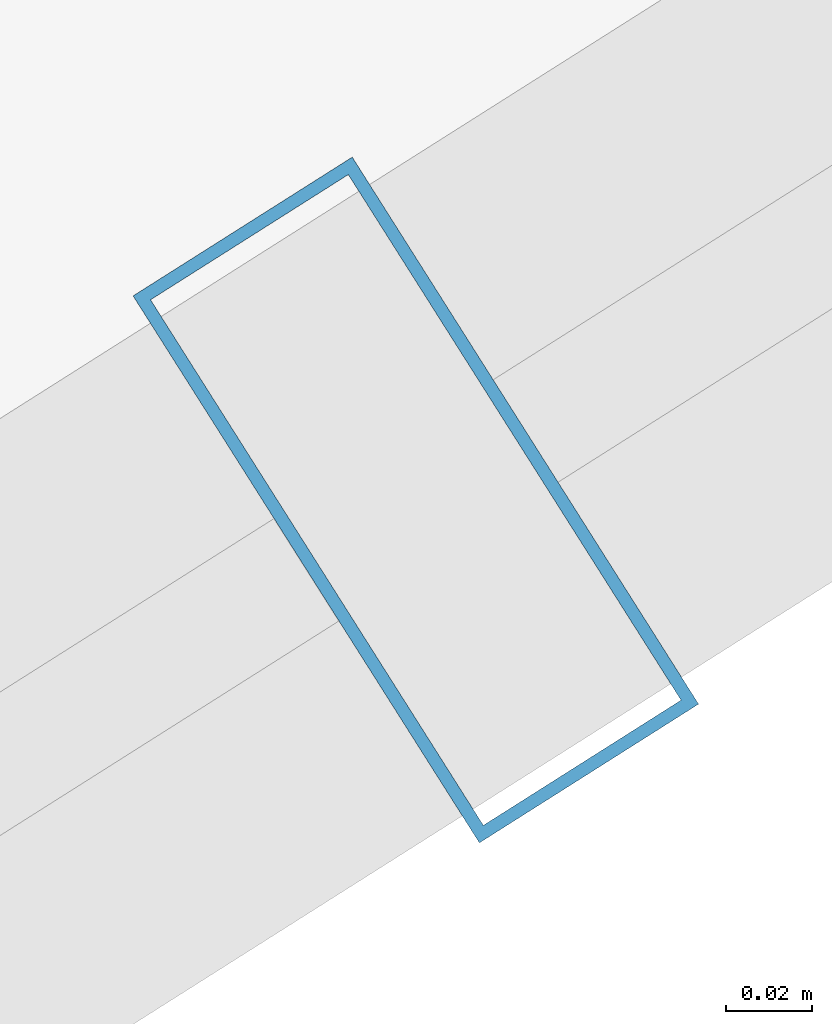
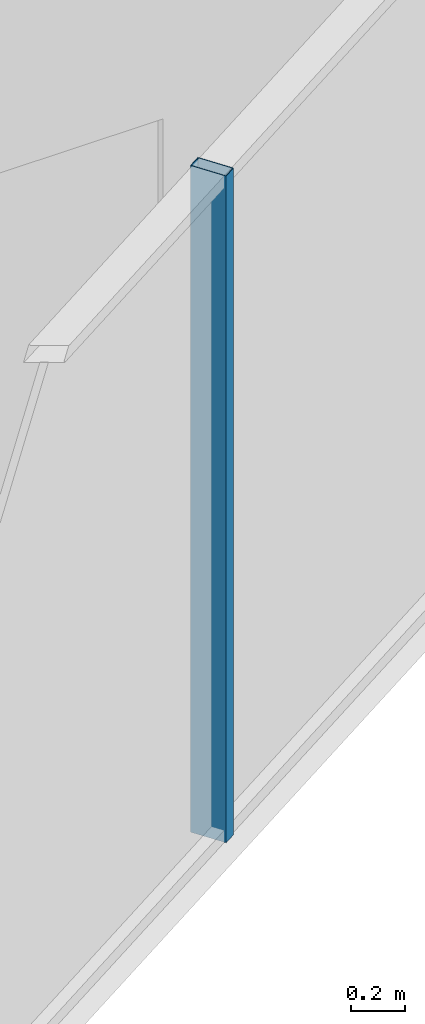
# One storey, part 8 of 33: 1 member, 1 element without a shape of its own.
"""IFC4 building model written with IfcOpenShell, lengths in metres."""

from ifc_helpers import new_model, si_unit, direction, frame, origin, origin_2d, place, context, subcontext, project, spatial, hollow_rectangle, extrude, source, transform, mapped, material, layer, layer_set, material_profile, profile_set, type_object, element, aggregate, save


model = new_model("IFC4")

# Units and contexts
model_context = context("Model", 3, precision=1e-05, world=origin(), true_north=direction((0.0, 1.0)))
body_context = subcontext(model_context, "Body", "Model", "MODEL_VIEW")
ifc_project = project(units=[si_unit("LENGTHUNIT", "METRE"), si_unit("AREAUNIT", "SQUARE_METRE"), si_unit("VOLUMEUNIT", "CUBIC_METRE"), si_unit("PLANEANGLEUNIT", "RADIAN"), si_unit("MASSUNIT", "GRAM", prefix="KILO")], contexts=[model_context])

# Site, building, storey
site_placement = place(None, origin())
site = spatial("IfcSite", under=ifc_project, at=site_placement, CompositionType="ELEMENT")
building_placement = place(site_placement, origin())
building = spatial("IfcBuilding", under=site, at=building_placement, Name="Veraguas Prism Commons", CompositionType="ELEMENT")
storey_placement = place(building_placement, frame((0.0, 0.0, 198.35009765625)))
storey = spatial("IfcBuildingStorey", under=building, at=storey_placement, Name="L56", CompositionType="ELEMENT", Elevation=198.35009765625)

# Curtain wall, member
ifc_material = material(Name="Anodised aluminium EN AW-6063 T6", Category="aluminium")
ifc_layer = layer(ifc_material, 0.14990234375, Name="Unitised Flush Curtain Wall Zone 3", Category="aluminium")
ifc_layer_set = layer_set([ifc_layer], Name="Anodised aluminium EN AW-6063 T6")
curtain_wall_type = type_object("IfcCurtainWallType", Name="Unitised Flush Curtain Wall Zone 3", PredefinedType="NOTDEFINED", material=ifc_layer_set)
curtain_wall_placement = place(storey_placement, origin())
curtain_wall = element("IfcCurtainWall", 1, at=curtain_wall_placement, inside=storey, type_object=curtain_wall_type, Name="Tower Facade Curtain Wall L56-F5", PredefinedType="NOTDEFINED")
ifc_material_profile = material_profile(ifc_material, hollow_rectangle(XDim=0.06005859375, YDim=0.14990234375, WallThickness=0.0029296875, at=origin_2d()), Name="AL60X150X3")
ifc_profile_set = profile_set([ifc_material_profile], Name="Anodised aluminium EN AW-6063 T6")
member_type = type_object("IfcMemberType", Name="Curtain Wall Mullion Upper AL 60x150x3", PredefinedType="MULLION", material=ifc_profile_set)
shared_shape = source(origin(), body_context, "Body", "SweptSolid", [
    extrude(hollow_rectangle(XDim=0.06005859375, YDim=0.14990234375, WallThickness=0.0029296875, at=origin_2d()), origin(), (0.0, 0.0, 1.0), 3.014892578125),
])
member_placement = place(storey_placement, frame((33.473876953125, 9.036865234375, 0.0), z_axis=(0.0, 0.0, 1.0), x_axis=(0.844886711646, 0.534945272419, 0.0)))
member = element("IfcMember", 2, at=member_placement, type_object=member_type, Name="CW-Z3 Mullion 3", PredefinedType="MULLION", context=body_context, shape_type="MappedRepresentation", body=[
    mapped(shared_shape, transform((0.0, 0.0, 0.0), scale=1.0)),
])
aggregate(curtain_wall, [member])

save(model, "model.ifc")
